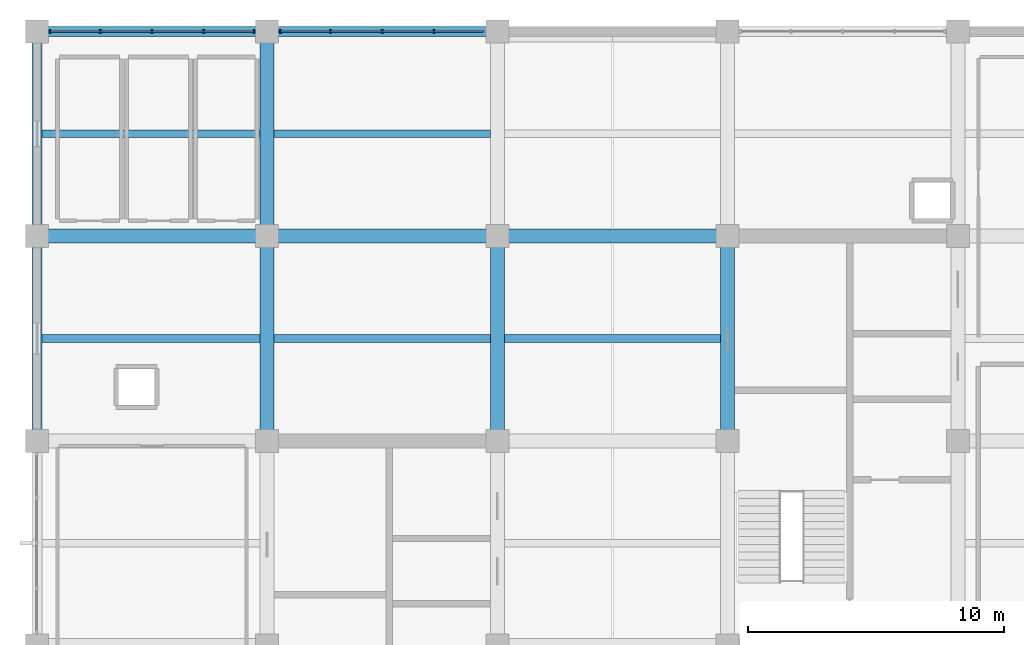
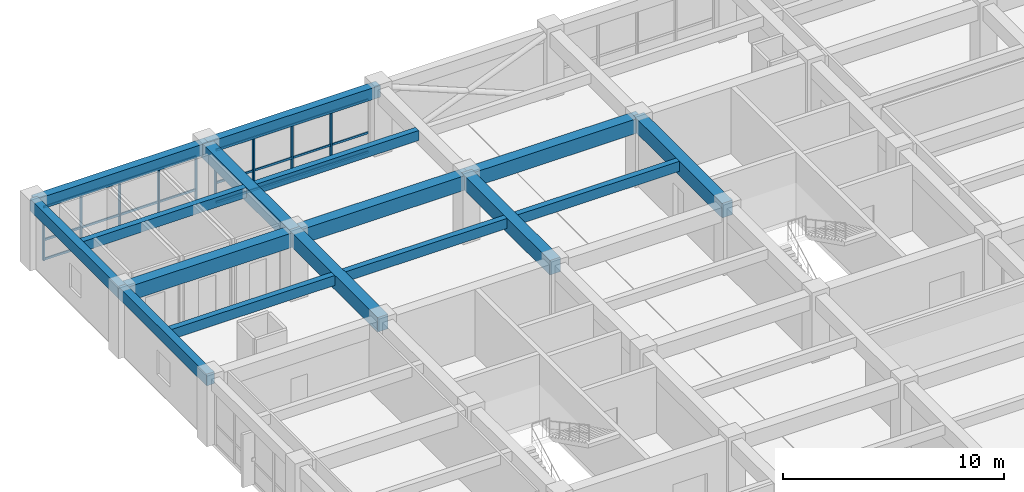
# One storey, part 9 of 23: 16 beams, 15 members, 2 elements without a shape of their own.
"""IFC4 building model written with IfcOpenShell, lengths in metres."""

from ifc_helpers import new_model, si_unit, direction, frame, origin, origin_2d, place, context, subcontext, project, spatial, rectangle, extrude, material, material_profile, profile_set, type_object, element, aggregate, save


model = new_model("IFC4")

# Units and contexts
model_context = context("Model", 3, precision=1e-05, world=origin(), true_north=direction((0.0, 1.0)))
body_context = subcontext(model_context, "Body", "Model", "MODEL_VIEW")
ifc_project = project(units=[si_unit("LENGTHUNIT", "METRE"), si_unit("AREAUNIT", "SQUARE_METRE"), si_unit("VOLUMEUNIT", "CUBIC_METRE"), si_unit("PLANEANGLEUNIT", "RADIAN"), si_unit("MASSUNIT", "GRAM", prefix="KILO")], contexts=[model_context])

# Site, building, storey
site_placement = place(None, origin())
site = spatial("IfcSite", under=ifc_project, at=site_placement, CompositionType="ELEMENT")
building_placement = place(site_placement, origin())
building = spatial("IfcBuilding", under=site, at=building_placement, Name="Zaverband Oceanarium and Marine Research Institute", CompositionType="ELEMENT")
storey_placement = place(building_placement, frame((0.0, 0.0, 21.89990234375)))
storey = spatial("IfcBuildingStorey", under=building, at=storey_placement, Name="L05", CompositionType="ELEMENT", Elevation=21.89990234375)

# Beams
ifc_material_1 = material(Name="Concrete C40/50", Category="concrete")
ifc_material_profile_1 = material_profile(ifc_material_1, rectangle(XDim=0.550048828125, YDim=0.800048828125, at=origin_2d()), Name="RC550x800")
ifc_profile_set_1 = profile_set([ifc_material_profile_1], Name="Concrete C40/50")
beam_type_1 = type_object("IfcBeamType", Name="BM-550x800", PredefinedType="BEAM", material=ifc_profile_set_1)
for number, where, z_axis, x_axis, name in (
    (1, (9.0, 104.0, 3.25), (1.0, 0.0, 0.0), (0.0, 1.0, 0.0), "Primary floor girder BM-550x800"),
    (2, (18.0, 104.0, 3.25), (1.0, 0.0, 0.0), (0.0, 1.0, 0.0), "Primary floor girder BM-550x800"),
    (3, (27.0, 104.0, 3.25), (1.0, 0.0, 0.0), (0.0, 1.0, 0.0), "Primary floor girder BM-550x800"),
):
    element("IfcBeam", number, at=place(storey_placement, frame(where, z_axis=z_axis, x_axis=x_axis)), inside=storey, type_object=beam_type_1, Name=name, PredefinedType="BEAM", context=body_context, shape_type="SweptSolid", body=[
        extrude(rectangle(XDim=0.550048828125, YDim=0.800048828125, at=origin_2d()), origin(), (0.0, 0.0, 1.0), 9.0),
    ])
for number, where, z_axis, x_axis, name in (
    (4, (18.0, 96.0, 3.25), (0.0, 1.0, 0.0), (-1.0, 0.0, 0.0), "Primary floor girder BM-550x800"),
    (5, (18.0, 104.0, 3.25), (0.0, 1.0, 0.0), (-1.0, 0.0, 0.0), "Primary floor girder BM-550x800"),
    (6, (27.0, 96.0, 3.25), (0.0, 1.0, 0.0), (-1.0, 0.0, 0.0), "Primary floor girder BM-550x800"),
    (7, (36.0, 96.0, 3.25), (0.0, 1.0, 0.0), (-1.0, 0.0, 0.0), "Primary floor girder BM-550x800"),
):
    element("IfcBeam", number, at=place(storey_placement, frame(where, z_axis=z_axis, x_axis=x_axis)), inside=storey, type_object=beam_type_1, Name=name, PredefinedType="BEAM", context=body_context, shape_type="SweptSolid", body=[
        extrude(rectangle(XDim=0.550048828125, YDim=0.800048828125, at=origin_2d()), origin(), (0.0, 0.0, 1.0), 8.0),
    ])
ifc_material_profile_2 = material_profile(ifc_material_1, rectangle(XDim=0.300048828125, YDim=0.550048828125, at=origin_2d()), Name="RC300x550")
ifc_profile_set_2 = profile_set([ifc_material_profile_2], Name="Concrete C40/50")
beam_type_2 = type_object("IfcBeamType", Name="JST-300x550", PredefinedType="JOIST", material=ifc_profile_set_2)
for number, where, z_axis, x_axis, name in (
    (8, (9.199951171875, 100.0, 3.375), (1.0, 0.0, 0.0), (0.0, 1.0, 0.0), "Secondary floor joist JST-300x550"),
    (9, (9.199951171875, 108.0, 3.375), (1.0, 0.0, 0.0), (0.0, 1.0, 0.0), "Secondary floor joist JST-300x550"),
):
    element("IfcBeam", number, at=place(storey_placement, frame(where, z_axis=z_axis, x_axis=x_axis)), inside=storey, type_object=beam_type_2, Name=name, PredefinedType="JOIST", context=body_context, shape_type="SweptSolid", body=[
        extrude(rectangle(XDim=0.300048828125, YDim=0.550048828125, at=origin_2d()), origin(), (0.0, 0.0, 1.0), 8.525146484375),
    ])
for number, where, z_axis, x_axis, name in (
    (10, (18.27490234375, 100.0, 3.375), (1.0, 0.0, 0.0), (0.0, 1.0, 0.0), "Secondary floor joist JST-300x550"),
    (11, (18.27490234375, 108.0, 3.375), (1.0, 0.0, 0.0), (0.0, 1.0, 0.0), "Secondary floor joist JST-300x550"),
    (12, (27.27490234375, 100.0, 3.375), (1.0, 0.0, 0.0), (0.0, 1.0, 0.0), "Secondary floor joist JST-300x550"),
):
    element("IfcBeam", number, at=place(storey_placement, frame(where, z_axis=z_axis, x_axis=x_axis)), inside=storey, type_object=beam_type_2, Name=name, PredefinedType="JOIST", context=body_context, shape_type="SweptSolid", body=[
        extrude(rectangle(XDim=0.300048828125, YDim=0.550048828125, at=origin_2d()), origin(), (0.0, 0.0, 1.0), 8.4501953125),
    ])

# Curtain wall, members
ifc_material_2 = material(Name="Thermally broken anodized aluminium and solar-control glass", Category="aluminium")
curtain_wall_type = type_object("IfcCurtainWallType", Name="CW-UNIT-1800", PredefinedType="NOTDEFINED", material=ifc_material_2)
curtain_wall_1_placement = place(storey_placement, origin())
curtain_wall_1 = element("IfcCurtainWall", 13, at=curtain_wall_1_placement, inside=storey, type_object=curtain_wall_type, Name="Unitised glazed curtain wall CW-070", PredefinedType="NOTDEFINED")
ifc_material_3 = material(Name="Thermally broken anodized aluminium", Category="aluminium")
ifc_material_profile_3 = material_profile(ifc_material_3, rectangle(XDim=0.070068359375, YDim=0.14990234375, at=origin_2d()), Name="AL-MUL-70x150")
ifc_profile_set_3 = profile_set([ifc_material_profile_3], Name="Thermally broken anodized aluminium")
member_type_1 = type_object("IfcMemberType", Name="MUL-70x150", PredefinedType="MULLION", material=ifc_profile_set_3)
member_1_placement = place(storey_placement, frame((9.514892578125, 112.0, 0.0), z_axis=(0.0, 0.0, 1.0), x_axis=(1.0, 0.0, 0.0)))
member_1 = element("IfcMember", 14, at=member_1_placement, type_object=member_type_1, Name="Curtain wall vertical mullion MUL-70x150", PredefinedType="MULLION", context=body_context, shape_type="SweptSolid", body=[
    extrude(rectangle(XDim=0.070068359375, YDim=0.14990234375, at=origin_2d()), origin(), (0.0, 0.0, 1.0), 2.97998046875),
])
member_2_placement = place(storey_placement, frame((11.4775390625, 112.0, 0.0), z_axis=(0.0, 0.0, 1.0), x_axis=(1.0, 0.0, 0.0)))
member_2 = element("IfcMember", 15, at=member_2_placement, type_object=member_type_1, Name="Curtain wall vertical mullion MUL-70x150", PredefinedType="MULLION", context=body_context, shape_type="SweptSolid", body=[
    extrude(rectangle(XDim=0.070068359375, YDim=0.14990234375, at=origin_2d()), origin(), (0.0, 0.0, 1.0), 2.97998046875),
])
member_3_placement = place(storey_placement, frame((13.5, 112.0, 0.0), z_axis=(0.0, 0.0, 1.0), x_axis=(1.0, 0.0, 0.0)))
member_3 = element("IfcMember", 16, at=member_3_placement, type_object=member_type_1, Name="Curtain wall vertical mullion MUL-70x150", PredefinedType="MULLION", context=body_context, shape_type="SweptSolid", body=[
    extrude(rectangle(XDim=0.070068359375, YDim=0.14990234375, at=origin_2d()), origin(), (0.0, 0.0, 1.0), 2.97998046875),
])
member_4_placement = place(storey_placement, frame((15.5224609375, 112.0, 0.0), z_axis=(0.0, 0.0, 1.0), x_axis=(1.0, 0.0, 0.0)))
member_4 = element("IfcMember", 17, at=member_4_placement, type_object=member_type_1, Name="Curtain wall vertical mullion MUL-70x150", PredefinedType="MULLION", context=body_context, shape_type="SweptSolid", body=[
    extrude(rectangle(XDim=0.070068359375, YDim=0.14990234375, at=origin_2d()), origin(), (0.0, 0.0, 1.0), 2.97998046875),
])
member_5_placement = place(storey_placement, frame((17.485107421875, 112.0, 0.0), z_axis=(0.0, 0.0, 1.0), x_axis=(1.0, 0.0, 0.0)))
member_5 = element("IfcMember", 18, at=member_5_placement, type_object=member_type_1, Name="Curtain wall vertical mullion MUL-70x150", PredefinedType="MULLION", context=body_context, shape_type="SweptSolid", body=[
    extrude(rectangle(XDim=0.070068359375, YDim=0.14990234375, at=origin_2d()), origin(), (0.0, 0.0, 1.0), 2.97998046875),
])

curtain_wall_2_placement = place(storey_placement, origin())
curtain_wall_2 = element("IfcCurtainWall", 19, at=curtain_wall_2_placement, inside=storey, type_object=curtain_wall_type, Name="Unitised glazed curtain wall CW-071", PredefinedType="NOTDEFINED")
member_6_placement = place(storey_placement, frame((18.514892578125, 112.0, 0.0), z_axis=(0.0, 0.0, 1.0), x_axis=(1.0, 0.0, 0.0)))
member_6 = element("IfcMember", 20, at=member_6_placement, type_object=member_type_1, Name="Curtain wall vertical mullion MUL-70x150", PredefinedType="MULLION", context=body_context, shape_type="SweptSolid", body=[
    extrude(rectangle(XDim=0.070068359375, YDim=0.14990234375, at=origin_2d()), origin(), (0.0, 0.0, 1.0), 2.97998046875),
])
member_7_placement = place(storey_placement, frame((20.4775390625, 112.0, 0.0), z_axis=(0.0, 0.0, 1.0), x_axis=(1.0, 0.0, 0.0)))
member_7 = element("IfcMember", 21, at=member_7_placement, type_object=member_type_1, Name="Curtain wall vertical mullion MUL-70x150", PredefinedType="MULLION", context=body_context, shape_type="SweptSolid", body=[
    extrude(rectangle(XDim=0.070068359375, YDim=0.14990234375, at=origin_2d()), origin(), (0.0, 0.0, 1.0), 2.97998046875),
])
member_8_placement = place(storey_placement, frame((22.5, 112.0, 0.0), z_axis=(0.0, 0.0, 1.0), x_axis=(1.0, 0.0, 0.0)))
member_8 = element("IfcMember", 22, at=member_8_placement, type_object=member_type_1, Name="Curtain wall vertical mullion MUL-70x150", PredefinedType="MULLION", context=body_context, shape_type="SweptSolid", body=[
    extrude(rectangle(XDim=0.070068359375, YDim=0.14990234375, at=origin_2d()), origin(), (0.0, 0.0, 1.0), 2.97998046875),
])
member_9_placement = place(storey_placement, frame((24.5224609375, 112.0, 0.0), z_axis=(0.0, 0.0, 1.0), x_axis=(1.0, 0.0, 0.0)))
member_9 = element("IfcMember", 23, at=member_9_placement, type_object=member_type_1, Name="Curtain wall vertical mullion MUL-70x150", PredefinedType="MULLION", context=body_context, shape_type="SweptSolid", body=[
    extrude(rectangle(XDim=0.070068359375, YDim=0.14990234375, at=origin_2d()), origin(), (0.0, 0.0, 1.0), 2.97998046875),
])

# Beams
ifc_material_profile_4 = material_profile(ifc_material_1, rectangle(XDim=0.39990234375, YDim=0.64990234375, at=origin_2d()), Name="RC400x650")
ifc_profile_set_4 = profile_set([ifc_material_profile_4], Name="Concrete C40/50")
beam_type_3 = type_object("IfcBeamType", Name="SPN-400x650", PredefinedType="SPANDREL", material=ifc_profile_set_4)
for number, where, z_axis, x_axis, name in (
    (24, (9.0, 112.0, 3.3251953125), (1.0, 0.0, 0.0), (0.0, 1.0, 0.0), "Perimeter spandrel beam SPN-400x650"),
    (25, (18.0, 112.0, 3.3251953125), (1.0, 0.0, 0.0), (0.0, 1.0, 0.0), "Perimeter spandrel beam SPN-400x650"),
):
    element("IfcBeam", number, at=place(storey_placement, frame(where, z_axis=z_axis, x_axis=x_axis)), inside=storey, type_object=beam_type_3, Name=name, PredefinedType="SPANDREL", context=body_context, shape_type="SweptSolid", body=[
        extrude(rectangle(XDim=0.39990234375, YDim=0.64990234375, at=origin_2d()), origin(), (0.0, 0.0, 1.0), 9.0),
    ])
for number, where, z_axis, x_axis, name in (
    (26, (9.0, 96.0, 3.3251953125), (0.0, 1.0, 0.0), (-1.0, 0.0, 0.0), "Perimeter spandrel beam SPN-400x650"),
    (27, (9.0, 104.0, 3.3251953125), (0.0, 1.0, 0.0), (-1.0, 0.0, 0.0), "Perimeter spandrel beam SPN-400x650"),
):
    element("IfcBeam", number, at=place(storey_placement, frame(where, z_axis=z_axis, x_axis=x_axis)), inside=storey, type_object=beam_type_3, Name=name, PredefinedType="SPANDREL", context=body_context, shape_type="SweptSolid", body=[
        extrude(rectangle(XDim=0.39990234375, YDim=0.64990234375, at=origin_2d()), origin(), (0.0, 0.0, 1.0), 8.0),
    ])

# Member
ifc_material_profile_5 = material_profile(ifc_material_3, rectangle(XDim=0.070068359375, YDim=0.114990234375, at=origin_2d()), Name="AL-TRN-70x115")
ifc_profile_set_5 = profile_set([ifc_material_profile_5], Name="Thermally broken anodized aluminium")
member_type_2 = type_object("IfcMemberType", Name="TRN-70x115", PredefinedType="USERDEFINED", material=ifc_profile_set_5)
member_10_placement = place(storey_placement, frame((9.514892578125, 112.0, 0.050048828125), z_axis=(1.0, 0.0, 0.0), x_axis=(0.0, 1.0, 0.0)))
member_10 = element("IfcMember", 28, at=member_10_placement, type_object=member_type_2, Name="Curtain wall horizontal transom TRN-70x115", ObjectType="TRANSOM", PredefinedType="USERDEFINED", context=body_context, shape_type="SweptSolid", body=[
    extrude(rectangle(XDim=0.070068359375, YDim=0.114990234375, at=origin_2d()), origin(), (0.0, 0.0, 1.0), 7.97021484375),
])

member_11_placement = place(storey_placement, frame((9.514892578125, 112.0, 1.123046875), z_axis=(1.0, 0.0, 0.0), x_axis=(0.0, 1.0, 0.0)))
member_11 = element("IfcMember", 29, at=member_11_placement, type_object=member_type_2, Name="Curtain wall horizontal transom TRN-70x115", ObjectType="TRANSOM", PredefinedType="USERDEFINED", context=body_context, shape_type="SweptSolid", body=[
    extrude(rectangle(XDim=0.070068359375, YDim=0.114990234375, at=origin_2d()), origin(), (0.0, 0.0, 1.0), 7.97021484375),
])

member_12_placement = place(storey_placement, frame((9.514892578125, 112.0, 2.93017578125), z_axis=(1.0, 0.0, 0.0), x_axis=(0.0, 1.0, 0.0)))
member_12 = element("IfcMember", 30, at=member_12_placement, type_object=member_type_2, Name="Curtain wall horizontal transom TRN-70x115", ObjectType="TRANSOM", PredefinedType="USERDEFINED", context=body_context, shape_type="SweptSolid", body=[
    extrude(rectangle(XDim=0.070068359375, YDim=0.114990234375, at=origin_2d()), origin(), (0.0, 0.0, 1.0), 7.97021484375),
])

aggregate(curtain_wall_1, [member_1, member_2, member_3, member_4, member_5, member_10, member_11, member_12])

member_13_placement = place(storey_placement, frame((18.514892578125, 112.0, 0.050048828125), z_axis=(1.0, 0.0, 0.0), x_axis=(0.0, 1.0, 0.0)))
member_13 = element("IfcMember", 31, at=member_13_placement, type_object=member_type_2, Name="Curtain wall horizontal transom TRN-70x115", ObjectType="TRANSOM", PredefinedType="USERDEFINED", context=body_context, shape_type="SweptSolid", body=[
    extrude(rectangle(XDim=0.070068359375, YDim=0.114990234375, at=origin_2d()), origin(), (0.0, 0.0, 1.0), 7.97021484375),
])

member_14_placement = place(storey_placement, frame((18.514892578125, 112.0, 1.123046875), z_axis=(1.0, 0.0, 0.0), x_axis=(0.0, 1.0, 0.0)))
member_14 = element("IfcMember", 32, at=member_14_placement, type_object=member_type_2, Name="Curtain wall horizontal transom TRN-70x115", ObjectType="TRANSOM", PredefinedType="USERDEFINED", context=body_context, shape_type="SweptSolid", body=[
    extrude(rectangle(XDim=0.070068359375, YDim=0.114990234375, at=origin_2d()), origin(), (0.0, 0.0, 1.0), 7.97021484375),
])

member_15_placement = place(storey_placement, frame((18.514892578125, 112.0, 2.93017578125), z_axis=(1.0, 0.0, 0.0), x_axis=(0.0, 1.0, 0.0)))
member_15 = element("IfcMember", 33, at=member_15_placement, type_object=member_type_2, Name="Curtain wall horizontal transom TRN-70x115", ObjectType="TRANSOM", PredefinedType="USERDEFINED", context=body_context, shape_type="SweptSolid", body=[
    extrude(rectangle(XDim=0.070068359375, YDim=0.114990234375, at=origin_2d()), origin(), (0.0, 0.0, 1.0), 7.97021484375),
])

aggregate(curtain_wall_2, [member_6, member_7, member_8, member_9, member_13, member_14, member_15])

save(model, "model.ifc")
